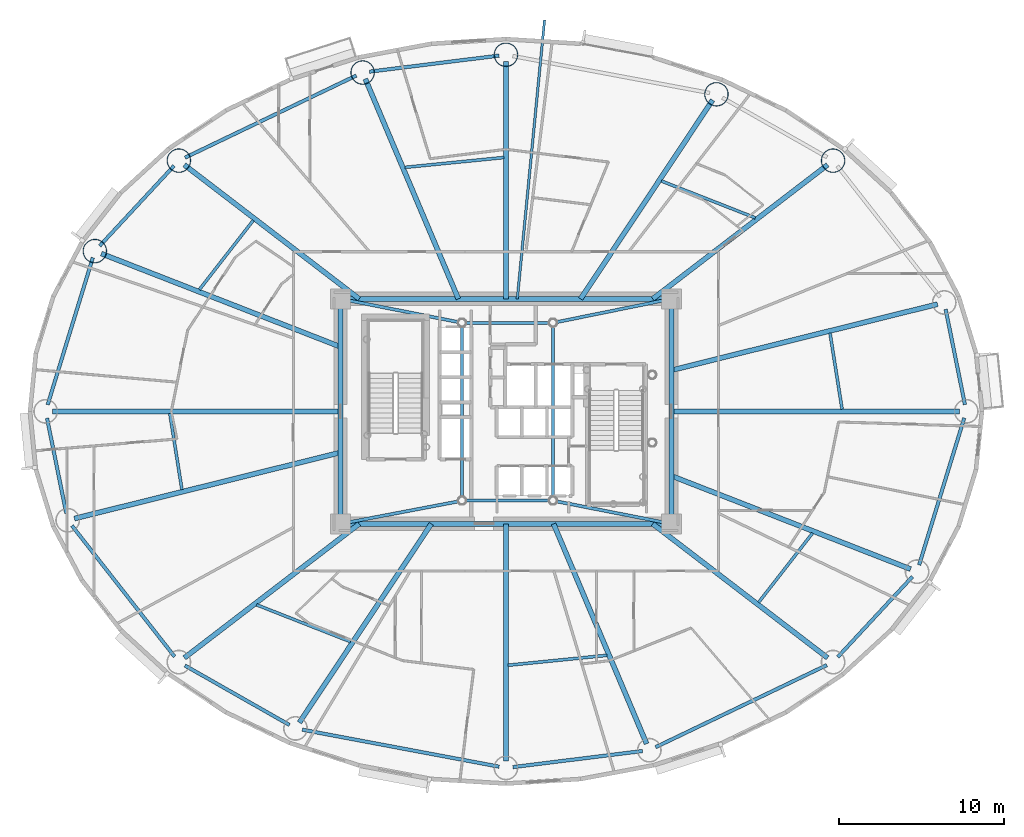
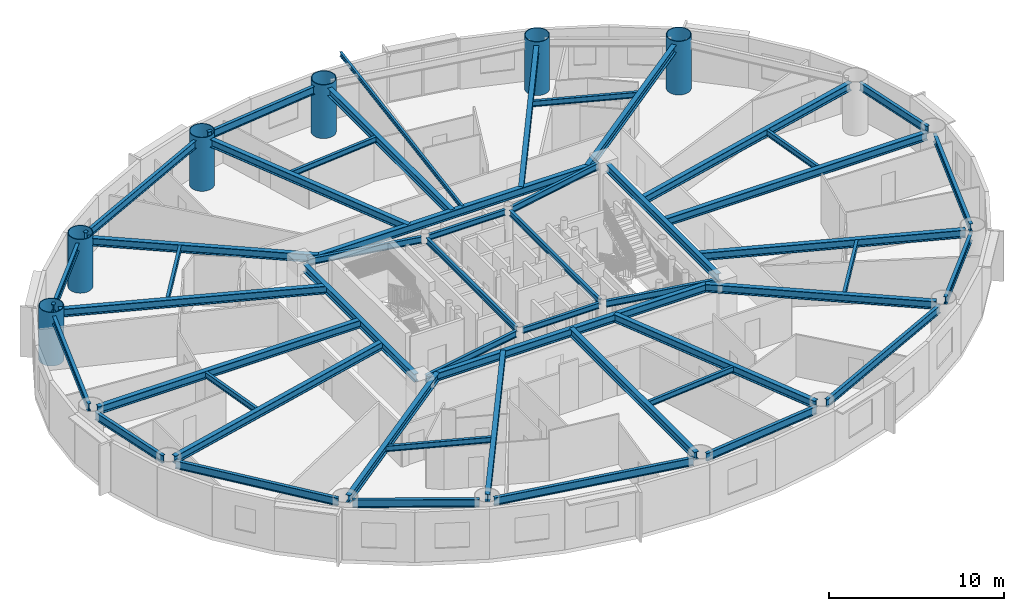
# One storey, part 3 of 18: 50 beams, 6 columns.
"""IFC4 building model written with IfcOpenShell, lengths in metres."""

from ifc_helpers import new_model, si_unit, direction, frame, origin, origin_2d, place, context, subcontext, project, spatial, hollow_circle, i_section, extrude, material, material_profile, profile_set, type_object, element, save


model = new_model("IFC4")

# Units and contexts
model_context = context("Model", 3, precision=1e-05, world=origin(), true_north=direction((0.0, 1.0)))
body_context = subcontext(model_context, "Body", "Model", "MODEL_VIEW")
ifc_project = project(units=[si_unit("LENGTHUNIT", "METRE"), si_unit("AREAUNIT", "SQUARE_METRE"), si_unit("VOLUMEUNIT", "CUBIC_METRE"), si_unit("PLANEANGLEUNIT", "RADIAN"), si_unit("MASSUNIT", "GRAM", prefix="KILO")], contexts=[model_context])

# Site, building, storey
site_placement = place(None, origin())
site = spatial("IfcSite", under=ifc_project, at=site_placement, CompositionType="ELEMENT")
building_placement = place(site_placement, origin())
building = spatial("IfcBuilding", under=site, at=building_placement, Name="Linh Dai School and Residence Tower", CompositionType="ELEMENT")
storey_placement = place(building_placement, frame((0.0, 0.0, 104.699951171875)))
storey = spatial("IfcBuildingStorey", under=building, at=storey_placement, Name="L24", CompositionType="ELEMENT", Elevation=104.699951171875)

# Columns
ifc_material = material(Name="Structural Steel S355JR", Category="steel")
ifc_material_profile_1 = material_profile(ifc_material, hollow_circle(Radius=0.72509765625, WallThickness=0.0419921875, at=origin_2d()), Name="CHS 1450x42")
ifc_profile_set_1 = profile_set([ifc_material_profile_1], Name="Structural Steel S355JR")
column_type = type_object("IfcColumnType", Name="COL-MC3", PredefinedType="COLUMN", material=ifc_profile_set_1)
for number, where, z_axis, x_axis, name in (
    (1, (55.772705078125, 42.155517578125, 0.0), (0.0, 0.0, 1.0), (1.0, 0.0, 0.0), "L24 Perimeter CFT Mega-Column MC03"),
    (2, (48.721923828125, 46.1650390625, 0.0), (0.0, 0.0, 1.0), (1.0, 0.0, 0.0), "L24 Perimeter CFT Mega-Column MC04"),
    (3, (36.0, 48.554931640625, 0.0), (0.0, 0.0, 1.0), (1.0, 0.0, 0.0), "L24 Perimeter CFT Mega-Column MC05"),
    (4, (27.33447265625, 47.480712890625, 0.0), (0.0, 0.0, 1.0), (1.0, 0.0, 0.0), "L24 Perimeter CFT Mega-Column MC06"),
    (5, (16.227294921875, 42.155517578125, 0.0), (0.0, 0.0, 1.0), (1.0, 0.0, 0.0), "L24 Perimeter CFT Mega-Column MC07"),
    (6, (11.15087890625, 36.6875, 0.0), (0.0, 0.0, 1.0), (1.0, 0.0, 0.0), "L24 Perimeter CFT Mega-Column MC08"),
):
    element("IfcColumn", number, at=place(storey_placement, frame(where, z_axis=z_axis, x_axis=x_axis)), inside=storey, type_object=column_type, Name=name, PredefinedType="COLUMN", context=body_context, shape_type="SweptSolid", body=[
        extrude(hollow_circle(Radius=0.72509765625, WallThickness=0.0419921875, at=origin_2d()), origin(), (0.0, 0.0, 1.0), 3.75),
    ])

# Beams
ifc_material_profile_2 = material_profile(ifc_material, i_section(OverallWidth=0.14990234375, OverallDepth=0.300048828125, WebThickness=0.007080078125, FlangeThickness=0.0107421875, at=origin_2d()), Name="IPE 300")
ifc_profile_set_2 = profile_set([ifc_material_profile_2], Name="Structural Steel S355JR")
beam_type_1 = type_object("IfcBeamType", Name="BM-BALC-CANT", PredefinedType="BEAM", material=ifc_profile_set_2)
beam_1_placement = place(storey_placement, frame((36.684814453125, 33.800048828125, 3.35009765625), z_axis=(0.097287416525, 0.995256328081, 0.0), x_axis=(-0.995256328081, 0.097287416525, 0.0)))
element("IfcBeam", 7, at=beam_1_placement, inside=storey, type_object=beam_type_1, Name="L25 Balcony Continuous Cantilever Beam 10", PredefinedType="BEAM", context=body_context, shape_type="SweptSolid", body=[
    extrude(i_section(OverallWidth=0.14990234375, OverallDepth=0.300048828125, WebThickness=0.007080078125, FlangeThickness=0.0107421875, at=origin_2d()), origin(), (0.0, 0.0, 1.0), 16.928955078125),
])
ifc_material_profile_3 = material_profile(ifc_material, i_section(OverallWidth=0.2099609375, OverallDepth=0.550048828125, WebThickness=0.010986328125, FlangeThickness=0.01708984375, FilletRadius=0.02392578125, at=origin_2d()), Name="IPE 550")
ifc_profile_set_3 = profile_set([ifc_material_profile_3], Name="Structural Steel S355JR")
beam_type_2 = type_object("IfcBeamType", Name="BM-RB55", PredefinedType="BEAM", material=ifc_profile_set_3)
beam_2_placement = place(storey_placement, frame((63.74169921875, 27.41162109375, 3.22509765625), z_axis=(-0.198441254313, 0.980112783605, 0.0), x_axis=(-0.980112783605, -0.198441254313, 0.0)))
element("IfcBeam", 8, at=beam_2_placement, inside=storey, type_object=beam_type_2, Name="L24 Perimeter Elliptical Ring Beam 01", PredefinedType="BEAM", context=body_context, shape_type="SweptSolid", body=[
    extrude(i_section(OverallWidth=0.2099609375, OverallDepth=0.550048828125, WebThickness=0.010986328125, FlangeThickness=0.01708984375, FilletRadius=0.02392578125, at=origin_2d()), origin(), (0.0, 0.0, 1.0), 5.874755859375),
])
beam_3_placement = place(storey_placement, frame((35.583251953125, 48.50341796875, 3.22509765625), z_axis=(-0.992399234854, -0.123059979933, 0.0), x_axis=(0.123059979933, -0.992399234854, 0.0)))
element("IfcBeam", 9, at=beam_3_placement, inside=storey, type_object=beam_type_2, Name="L24 Perimeter Elliptical Ring Beam 05", PredefinedType="BEAM", context=body_context, shape_type="SweptSolid", body=[
    extrude(i_section(OverallWidth=0.2099609375, OverallDepth=0.550048828125, WebThickness=0.010986328125, FlangeThickness=0.01708984375, FilletRadius=0.02392578125, at=origin_2d()), origin(), (0.0, 0.0, 1.0), 7.89208984375),
])
beam_4_placement = place(storey_placement, frame((26.955810546875, 47.299072265625, 3.22509765625), z_axis=(-0.901715153312, -0.432330640005, 0.0), x_axis=(0.432330640005, -0.901715153312, 0.0)))
element("IfcBeam", 10, at=beam_4_placement, inside=storey, type_object=beam_type_2, Name="L24 Perimeter Elliptical Ring Beam 06", PredefinedType="BEAM", context=body_context, shape_type="SweptSolid", body=[
    extrude(i_section(OverallWidth=0.2099609375, OverallDepth=0.550048828125, WebThickness=0.010986328125, FlangeThickness=0.01708984375, FilletRadius=0.02392578125, at=origin_2d()), origin(), (0.0, 0.0, 1.0), 11.477783203125),
])
beam_5_placement = place(storey_placement, frame((15.941650390625, 41.84765625, 3.22509765625), z_axis=(-0.680384623752, -0.732855213369, 0.0), x_axis=(0.732855213369, -0.680384623752, 0.0)))
element("IfcBeam", 11, at=beam_5_placement, inside=storey, type_object=beam_type_2, Name="L24 Perimeter Elliptical Ring Beam 07", PredefinedType="BEAM", context=body_context, shape_type="SweptSolid", body=[
    extrude(i_section(OverallWidth=0.2099609375, OverallDepth=0.550048828125, WebThickness=0.010986328125, FlangeThickness=0.01708984375, FilletRadius=0.02392578125, at=origin_2d()), origin(), (0.0, 0.0, 1.0), 6.62109375),
])
beam_6_placement = place(storey_placement, frame((11.027587890625, 36.2861328125, 3.22509765625), z_axis=(-0.29364097848, -0.95591577859, 0.0), x_axis=(0.95591577859, -0.29364097848, 0.0)))
element("IfcBeam", 12, at=beam_6_placement, inside=storey, type_object=beam_type_2, Name="L24 Perimeter Elliptical Ring Beam 08", PredefinedType="BEAM", context=body_context, shape_type="SweptSolid", body=[
    extrude(i_section(OverallWidth=0.2099609375, OverallDepth=0.550048828125, WebThickness=0.010986328125, FlangeThickness=0.01708984375, FilletRadius=0.02392578125, at=origin_2d()), origin(), (0.0, 0.0, 1.0), 9.29443359375),
])
beam_7_placement = place(storey_placement, frame((8.25830078125, 26.58837890625, 3.22509765625), z_axis=(0.198441254313, -0.980112783605, 0.0), x_axis=(0.980112783605, 0.198441254313, 0.0)))
element("IfcBeam", 13, at=beam_7_placement, inside=storey, type_object=beam_type_2, Name="L24 Perimeter Elliptical Ring Beam 09", PredefinedType="BEAM", context=body_context, shape_type="SweptSolid", body=[
    extrude(i_section(OverallWidth=0.2099609375, OverallDepth=0.550048828125, WebThickness=0.010986328125, FlangeThickness=0.01708984375, FilletRadius=0.02392578125, at=origin_2d()), origin(), (0.0, 0.0, 1.0), 5.874755859375),
])
beam_8_placement = place(storey_placement, frame((9.766357421875, 20.08837890625, 3.22509765625), z_axis=(0.616854830973, -0.787076945098, 0.0), x_axis=(0.787076945098, 0.616854830973, 0.0)))
element("IfcBeam", 14, at=beam_8_placement, inside=storey, type_object=beam_type_2, Name="L24 Perimeter Elliptical Ring Beam 10", PredefinedType="BEAM", context=body_context, shape_type="SweptSolid", body=[
    extrude(i_section(OverallWidth=0.2099609375, OverallDepth=0.550048828125, WebThickness=0.010986328125, FlangeThickness=0.01708984375, FilletRadius=0.02392578125, at=origin_2d()), origin(), (0.0, 0.0, 1.0), 10.053955078125),
])
beam_9_placement = place(storey_placement, frame((16.592529296875, 11.636962890625, 3.22509765625), z_axis=(0.86927031475, -0.494337050902, 0.0), x_axis=(0.494337050902, 0.86927031475, 0.0)))
element("IfcBeam", 15, at=beam_9_placement, inside=storey, type_object=beam_type_2, Name="L24 Perimeter Elliptical Ring Beam 11", PredefinedType="BEAM", context=body_context, shape_type="SweptSolid", body=[
    extrude(i_section(OverallWidth=0.2099609375, OverallDepth=0.550048828125, WebThickness=0.010986328125, FlangeThickness=0.01708984375, FilletRadius=0.02392578125, at=origin_2d()), origin(), (0.0, 0.0, 1.0), 7.270751953125),
])
beam_10_placement = place(storey_placement, frame((23.69091796875, 7.75732421875, 3.22509765625), z_axis=(0.982807507457, -0.184633158685, 0.0), x_axis=(0.184633158685, 0.982807507457, 0.0)))
element("IfcBeam", 16, at=beam_10_placement, inside=storey, type_object=beam_type_2, Name="L24 Perimeter Elliptical Ring Beam 12", PredefinedType="BEAM", context=body_context, shape_type="SweptSolid", body=[
    extrude(i_section(OverallWidth=0.2099609375, OverallDepth=0.550048828125, WebThickness=0.010986328125, FlangeThickness=0.01708984375, FilletRadius=0.02392578125, at=origin_2d()), origin(), (0.0, 0.0, 1.0), 12.104248046875),
])
beam_11_placement = place(storey_placement, frame((36.416748046875, 5.49658203125, 3.22509765625), z_axis=(0.992399234854, 0.123059979933, 0.0), x_axis=(-0.123059979933, 0.992399234854, 0.0)))
element("IfcBeam", 17, at=beam_11_placement, inside=storey, type_object=beam_type_2, Name="L24 Perimeter Elliptical Ring Beam 13", PredefinedType="BEAM", context=body_context, shape_type="SweptSolid", body=[
    extrude(i_section(OverallWidth=0.2099609375, OverallDepth=0.550048828125, WebThickness=0.010986328125, FlangeThickness=0.01708984375, FilletRadius=0.02392578125, at=origin_2d()), origin(), (0.0, 0.0, 1.0), 7.89208984375),
])
beam_12_placement = place(storey_placement, frame((45.044189453125, 6.700927734375, 3.22509765625), z_axis=(0.901715153312, 0.432330640005, 0.0), x_axis=(-0.432330640005, 0.901715153312, 0.0)))
element("IfcBeam", 18, at=beam_12_placement, inside=storey, type_object=beam_type_2, Name="L24 Perimeter Elliptical Ring Beam 14", PredefinedType="BEAM", context=body_context, shape_type="SweptSolid", body=[
    extrude(i_section(OverallWidth=0.2099609375, OverallDepth=0.550048828125, WebThickness=0.010986328125, FlangeThickness=0.01708984375, FilletRadius=0.02392578125, at=origin_2d()), origin(), (0.0, 0.0, 1.0), 11.477783203125),
])
beam_13_placement = place(storey_placement, frame((56.058349609375, 12.15234375, 3.22509765625), z_axis=(0.680384623752, 0.732855213369, 0.0), x_axis=(-0.732855213369, 0.680384623752, 0.0)))
element("IfcBeam", 19, at=beam_13_placement, inside=storey, type_object=beam_type_2, Name="L24 Perimeter Elliptical Ring Beam 15", PredefinedType="BEAM", context=body_context, shape_type="SweptSolid", body=[
    extrude(i_section(OverallWidth=0.2099609375, OverallDepth=0.550048828125, WebThickness=0.010986328125, FlangeThickness=0.01708984375, FilletRadius=0.02392578125, at=origin_2d()), origin(), (0.0, 0.0, 1.0), 6.62109375),
])
beam_14_placement = place(storey_placement, frame((60.972412109375, 17.7138671875, 3.22509765625), z_axis=(0.29364097848, 0.95591577859, 0.0), x_axis=(-0.95591577859, 0.29364097848, 0.0)))
element("IfcBeam", 20, at=beam_14_placement, inside=storey, type_object=beam_type_2, Name="L24 Perimeter Elliptical Ring Beam 16", PredefinedType="BEAM", context=body_context, shape_type="SweptSolid", body=[
    extrude(i_section(OverallWidth=0.2099609375, OverallDepth=0.550048828125, WebThickness=0.010986328125, FlangeThickness=0.01708984375, FilletRadius=0.02392578125, at=origin_2d()), origin(), (0.0, 0.0, 1.0), 9.29443359375),
])
ifc_material_profile_4 = material_profile(ifc_material, i_section(OverallWidth=0.300048828125, OverallDepth=0.550048828125, WebThickness=0.014892578125, FlangeThickness=0.029052734375, FilletRadius=0.027099609375, at=origin_2d()), Name="HEB 550")
ifc_profile_set_4 = profile_set([ifc_material_profile_4], Name="Structural Steel S355JR")
beam_type_3 = type_object("IfcBeamType", Name="BM-RG55", PredefinedType="BEAM", material=ifc_profile_set_4)
beam_15_placement = place(storey_placement, frame((26.419921875, 20.199951171875, 3.22509765625), z_axis=(1.0, 0.0, 0.0), x_axis=(0.0, 1.0, 0.0)))
element("IfcBeam", 21, at=beam_15_placement, inside=storey, type_object=beam_type_3, Name="L24 Core Perimeter Coupling Girder 1", PredefinedType="BEAM", context=body_context, shape_type="SweptSolid", body=[
    extrude(i_section(OverallWidth=0.300048828125, OverallDepth=0.550048828125, WebThickness=0.014892578125, FlangeThickness=0.029052734375, FilletRadius=0.027099609375, at=origin_2d()), origin(), (0.0, 0.0, 1.0), 19.16015625),
])
beam_16_placement = place(storey_placement, frame((46.0, 20.6201171875, 3.22509765625), z_axis=(0.0, 1.0, 0.0), x_axis=(-1.0, 0.0, 0.0)))
element("IfcBeam", 22, at=beam_16_placement, inside=storey, type_object=beam_type_3, Name="L24 Core Perimeter Coupling Girder 2", PredefinedType="BEAM", context=body_context, shape_type="SweptSolid", body=[
    extrude(i_section(OverallWidth=0.300048828125, OverallDepth=0.550048828125, WebThickness=0.014892578125, FlangeThickness=0.029052734375, FilletRadius=0.027099609375, at=origin_2d()), origin(), (0.0, 0.0, 1.0), 12.759765625),
])
beam_17_placement = place(storey_placement, frame((45.580078125, 33.800048828125, 3.22509765625), z_axis=(-1.0, 0.0, 0.0), x_axis=(0.0, -1.0, 0.0)))
element("IfcBeam", 23, at=beam_17_placement, inside=storey, type_object=beam_type_3, Name="L24 Core Perimeter Coupling Girder 3", PredefinedType="BEAM", context=body_context, shape_type="SweptSolid", body=[
    extrude(i_section(OverallWidth=0.300048828125, OverallDepth=0.550048828125, WebThickness=0.014892578125, FlangeThickness=0.029052734375, FilletRadius=0.027099609375, at=origin_2d()), origin(), (0.0, 0.0, 1.0), 19.16015625),
])
beam_18_placement = place(storey_placement, frame((26.0, 33.3798828125, 3.22509765625), z_axis=(0.0, -1.0, 0.0), x_axis=(1.0, 0.0, 0.0)))
element("IfcBeam", 24, at=beam_18_placement, inside=storey, type_object=beam_type_3, Name="L24 Core Perimeter Coupling Girder 4", PredefinedType="BEAM", context=body_context, shape_type="SweptSolid", body=[
    extrude(i_section(OverallWidth=0.300048828125, OverallDepth=0.550048828125, WebThickness=0.014892578125, FlangeThickness=0.029052734375, FilletRadius=0.027099609375, at=origin_2d()), origin(), (0.0, 0.0, 1.0), 12.759765625),
])
beam_19_placement = place(storey_placement, frame((46.0, 27.0, 3.22509765625), z_axis=(1.0, 0.0, 0.0), x_axis=(0.0, 1.0, 0.0)))
element("IfcBeam", 25, at=beam_19_placement, inside=storey, type_object=beam_type_3, Name="L24 Primary Radial Floor Girder 01", PredefinedType="BEAM", context=body_context, shape_type="SweptSolid", body=[
    extrude(i_section(OverallWidth=0.300048828125, OverallDepth=0.550048828125, WebThickness=0.014892578125, FlangeThickness=0.029052734375, FilletRadius=0.027099609375, at=origin_2d()), origin(), (0.0, 0.0, 1.0), 17.405029296875),
])
beam_20_placement = place(storey_placement, frame((46.0, 29.484130859375, 3.22509765625), z_axis=(0.970505338376, 0.241079630379, 0.0), x_axis=(-0.241079630379, 0.970505338376, 0.0)))
element("IfcBeam", 26, at=beam_20_placement, inside=storey, type_object=beam_type_3, Name="L24 Primary Radial Floor Girder 02", PredefinedType="BEAM", context=body_context, shape_type="SweptSolid", body=[
    extrude(i_section(OverallWidth=0.300048828125, OverallDepth=0.550048828125, WebThickness=0.014892578125, FlangeThickness=0.029052734375, FilletRadius=0.027099609375, at=origin_2d()), origin(), (0.0, 0.0, 1.0), 16.57373046875),
])
beam_21_placement = place(storey_placement, frame((44.87158203125, 33.800048828125, 3.22509765625), z_axis=(0.793678660795, 0.608337228352, 0.0), x_axis=(-0.608337228352, 0.793678660795, 0.0)))
element("IfcBeam", 27, at=beam_21_placement, inside=storey, type_object=beam_type_3, Name="L24 Primary Radial Floor Girder 03", PredefinedType="BEAM", context=body_context, shape_type="SweptSolid", body=[
    extrude(i_section(OverallWidth=0.300048828125, OverallDepth=0.550048828125, WebThickness=0.014892578125, FlangeThickness=0.029052734375, FilletRadius=0.027099609375, at=origin_2d()), origin(), (0.0, 0.0, 1.0), 13.314697265625),
])
beam_22_placement = place(storey_placement, frame((40.513916015625, 33.800048828125, 3.22509765625), z_axis=(0.553054392401, 0.833145148846, 0.0), x_axis=(-0.833145148846, 0.553054392401, 0.0)))
element("IfcBeam", 28, at=beam_22_placement, inside=storey, type_object=beam_type_3, Name="L24 Primary Radial Floor Girder 04", PredefinedType="BEAM", context=body_context, shape_type="SweptSolid", body=[
    extrude(i_section(OverallWidth=0.300048828125, OverallDepth=0.550048828125, WebThickness=0.014892578125, FlangeThickness=0.029052734375, FilletRadius=0.027099609375, at=origin_2d()), origin(), (0.0, 0.0, 1.0), 14.42138671875),
])
beam_23_placement = place(storey_placement, frame((36.0, 33.800048828125, 3.22509765625), z_axis=(0.0, 1.0, 0.0), x_axis=(-1.0, 0.0, 0.0)))
element("IfcBeam", 29, at=beam_23_placement, inside=storey, type_object=beam_type_3, Name="L24 Primary Radial Floor Girder 05", PredefinedType="BEAM", context=body_context, shape_type="SweptSolid", body=[
    extrude(i_section(OverallWidth=0.300048828125, OverallDepth=0.550048828125, WebThickness=0.014892578125, FlangeThickness=0.029052734375, FilletRadius=0.027099609375, at=origin_2d()), origin(), (0.0, 0.0, 1.0), 14.3349609375),
])
beam_24_placement = place(storey_placement, frame((33.122802734375, 33.800048828125, 3.22509765625), z_axis=(-0.389669233739, 0.920954878524, 0.0), x_axis=(-0.920954878524, -0.389669233739, 0.0)))
element("IfcBeam", 30, at=beam_24_placement, inside=storey, type_object=beam_type_3, Name="L24 Primary Radial Floor Girder 06", PredefinedType="BEAM", context=body_context, shape_type="SweptSolid", body=[
    extrude(i_section(OverallWidth=0.300048828125, OverallDepth=0.550048828125, WebThickness=0.014892578125, FlangeThickness=0.029052734375, FilletRadius=0.027099609375, at=origin_2d()), origin(), (0.0, 0.0, 1.0), 14.434814453125),
])
beam_25_placement = place(storey_placement, frame((27.12841796875, 33.800048828125, 3.22509765625), z_axis=(-0.793678660795, 0.608337228352, 0.0), x_axis=(-0.608337228352, -0.793678660795, 0.0)))
element("IfcBeam", 31, at=beam_25_placement, inside=storey, type_object=beam_type_3, Name="L24 Primary Radial Floor Girder 07", PredefinedType="BEAM", context=body_context, shape_type="SweptSolid", body=[
    extrude(i_section(OverallWidth=0.300048828125, OverallDepth=0.550048828125, WebThickness=0.014892578125, FlangeThickness=0.029052734375, FilletRadius=0.027099609375, at=origin_2d()), origin(), (0.0, 0.0, 1.0), 13.314697265625),
])
beam_26_placement = place(storey_placement, frame((26.0, 30.8984375, 3.22509765625), z_axis=(-0.931699338449, 0.363230426498, 0.0), x_axis=(-0.363230426498, -0.931699338449, 0.0)))
element("IfcBeam", 32, at=beam_26_placement, inside=storey, type_object=beam_type_3, Name="L24 Primary Radial Floor Girder 08", PredefinedType="BEAM", context=body_context, shape_type="SweptSolid", body=[
    extrude(i_section(OverallWidth=0.300048828125, OverallDepth=0.550048828125, WebThickness=0.014892578125, FlangeThickness=0.029052734375, FilletRadius=0.027099609375, at=origin_2d()), origin(), (0.0, 0.0, 1.0), 15.517578125),
])
beam_27_placement = place(storey_placement, frame((26.0, 27.0, 3.22509765625), z_axis=(-1.0, 0.0, 0.0), x_axis=(0.0, -1.0, 0.0)))
element("IfcBeam", 33, at=beam_27_placement, inside=storey, type_object=beam_type_3, Name="L24 Primary Radial Floor Girder 09", PredefinedType="BEAM", context=body_context, shape_type="SweptSolid", body=[
    extrude(i_section(OverallWidth=0.300048828125, OverallDepth=0.550048828125, WebThickness=0.014892578125, FlangeThickness=0.029052734375, FilletRadius=0.027099609375, at=origin_2d()), origin(), (0.0, 0.0, 1.0), 17.405029296875),
])
beam_28_placement = place(storey_placement, frame((26.0, 24.515869140625, 3.22509765625), z_axis=(-0.970505338376, -0.241079630379, 0.0), x_axis=(0.241079630379, -0.970505338376, 0.0)))
element("IfcBeam", 34, at=beam_28_placement, inside=storey, type_object=beam_type_3, Name="L24 Primary Radial Floor Girder 10", PredefinedType="BEAM", context=body_context, shape_type="SweptSolid", body=[
    extrude(i_section(OverallWidth=0.300048828125, OverallDepth=0.550048828125, WebThickness=0.014892578125, FlangeThickness=0.029052734375, FilletRadius=0.027099609375, at=origin_2d()), origin(), (0.0, 0.0, 1.0), 16.57373046875),
])
beam_29_placement = place(storey_placement, frame((27.12841796875, 20.199951171875, 3.22509765625), z_axis=(-0.793678660795, -0.608337228352, 0.0), x_axis=(0.608337228352, -0.793678660795, 0.0)))
element("IfcBeam", 35, at=beam_29_placement, inside=storey, type_object=beam_type_3, Name="L24 Primary Radial Floor Girder 11", PredefinedType="BEAM", context=body_context, shape_type="SweptSolid", body=[
    extrude(i_section(OverallWidth=0.300048828125, OverallDepth=0.550048828125, WebThickness=0.014892578125, FlangeThickness=0.029052734375, FilletRadius=0.027099609375, at=origin_2d()), origin(), (0.0, 0.0, 1.0), 13.314697265625),
])
beam_30_placement = place(storey_placement, frame((31.486083984375, 20.199951171875, 3.22509765625), z_axis=(-0.553054392401, -0.833145148846, 0.0), x_axis=(0.833145148846, -0.553054392401, 0.0)))
element("IfcBeam", 36, at=beam_30_placement, inside=storey, type_object=beam_type_3, Name="L24 Primary Radial Floor Girder 12", PredefinedType="BEAM", context=body_context, shape_type="SweptSolid", body=[
    extrude(i_section(OverallWidth=0.300048828125, OverallDepth=0.550048828125, WebThickness=0.014892578125, FlangeThickness=0.029052734375, FilletRadius=0.027099609375, at=origin_2d()), origin(), (0.0, 0.0, 1.0), 14.42138671875),
])
beam_31_placement = place(storey_placement, frame((36.0, 20.199951171875, 3.22509765625), z_axis=(0.0, -1.0, 0.0), x_axis=(1.0, 0.0, 0.0)))
element("IfcBeam", 37, at=beam_31_placement, inside=storey, type_object=beam_type_3, Name="L24 Primary Radial Floor Girder 13", PredefinedType="BEAM", context=body_context, shape_type="SweptSolid", body=[
    extrude(i_section(OverallWidth=0.300048828125, OverallDepth=0.550048828125, WebThickness=0.014892578125, FlangeThickness=0.029052734375, FilletRadius=0.027099609375, at=origin_2d()), origin(), (0.0, 0.0, 1.0), 14.3349609375),
])
beam_32_placement = place(storey_placement, frame((38.877197265625, 20.199951171875, 3.22509765625), z_axis=(0.389669233739, -0.920954878524, 0.0), x_axis=(0.920954878524, 0.389669233739, 0.0)))
element("IfcBeam", 38, at=beam_32_placement, inside=storey, type_object=beam_type_3, Name="L24 Primary Radial Floor Girder 14", PredefinedType="BEAM", context=body_context, shape_type="SweptSolid", body=[
    extrude(i_section(OverallWidth=0.300048828125, OverallDepth=0.550048828125, WebThickness=0.014892578125, FlangeThickness=0.029052734375, FilletRadius=0.027099609375, at=origin_2d()), origin(), (0.0, 0.0, 1.0), 14.434814453125),
])
beam_33_placement = place(storey_placement, frame((44.87158203125, 20.199951171875, 3.22509765625), z_axis=(0.793678660795, -0.608337228352, 0.0), x_axis=(0.608337228352, 0.793678660795, 0.0)))
element("IfcBeam", 39, at=beam_33_placement, inside=storey, type_object=beam_type_3, Name="L24 Primary Radial Floor Girder 15", PredefinedType="BEAM", context=body_context, shape_type="SweptSolid", body=[
    extrude(i_section(OverallWidth=0.300048828125, OverallDepth=0.550048828125, WebThickness=0.014892578125, FlangeThickness=0.029052734375, FilletRadius=0.027099609375, at=origin_2d()), origin(), (0.0, 0.0, 1.0), 13.314697265625),
])
beam_34_placement = place(storey_placement, frame((46.0, 23.1015625, 3.22509765625), z_axis=(0.931699338449, -0.363230426498, 0.0), x_axis=(0.363230426498, 0.931699338449, 0.0)))
element("IfcBeam", 40, at=beam_34_placement, inside=storey, type_object=beam_type_3, Name="L24 Primary Radial Floor Girder 16", PredefinedType="BEAM", context=body_context, shape_type="SweptSolid", body=[
    extrude(i_section(OverallWidth=0.300048828125, OverallDepth=0.550048828125, WebThickness=0.014892578125, FlangeThickness=0.029052734375, FilletRadius=0.027099609375, at=origin_2d()), origin(), (0.0, 0.0, 1.0), 15.517578125),
])
ifc_material_profile_5 = material_profile(ifc_material, i_section(OverallWidth=0.179931640625, OverallDepth=0.39990234375, WebThickness=0.008544921875, FlangeThickness=0.013427734375, FilletRadius=0.02099609375, at=origin_2d()), Name="IPE 400")
ifc_profile_set_5 = profile_set([ifc_material_profile_5], Name="Structural Steel S355JR")
beam_type_4 = type_object("IfcBeamType", Name="BM-SB40", PredefinedType="BEAM", material=ifc_profile_set_5)
beam_35_placement = place(storey_placement, frame((33.573974609375, 21.60009765625, 3.300048828125), z_axis=(1.0, 0.0, 0.0), x_axis=(0.0, 1.0, 0.0)))
element("IfcBeam", 41, at=beam_35_placement, inside=storey, type_object=beam_type_4, Name="L24 Core Mast Pier Tie Beam 1", PredefinedType="BEAM", context=body_context, shape_type="SweptSolid", body=[
    extrude(i_section(OverallWidth=0.179931640625, OverallDepth=0.39990234375, WebThickness=0.008544921875, FlangeThickness=0.013427734375, FilletRadius=0.02099609375, at=origin_2d()), origin(), (0.0, 0.0, 1.0), 5.052001953125),
])
beam_36_placement = place(storey_placement, frame((38.85009765625, 21.823974609375, 3.300048828125), z_axis=(0.0, 1.0, 0.0), x_axis=(-1.0, 0.0, 0.0)))
element("IfcBeam", 42, at=beam_36_placement, inside=storey, type_object=beam_type_4, Name="L24 Core Mast Pier Tie Beam 2", PredefinedType="BEAM", context=body_context, shape_type="SweptSolid", body=[
    extrude(i_section(OverallWidth=0.179931640625, OverallDepth=0.39990234375, WebThickness=0.008544921875, FlangeThickness=0.013427734375, FilletRadius=0.02099609375, at=origin_2d()), origin(), (0.0, 0.0, 1.0), 10.302001953125),
])
beam_37_placement = place(storey_placement, frame((38.6259765625, 32.35009765625, 3.300048828125), z_axis=(-1.0, 0.0, 0.0), x_axis=(0.0, -1.0, 0.0)))
element("IfcBeam", 43, at=beam_37_placement, inside=storey, type_object=beam_type_4, Name="L24 Core Mast Pier Tie Beam 3", PredefinedType="BEAM", context=body_context, shape_type="SweptSolid", body=[
    extrude(i_section(OverallWidth=0.179931640625, OverallDepth=0.39990234375, WebThickness=0.008544921875, FlangeThickness=0.013427734375, FilletRadius=0.02099609375, at=origin_2d()), origin(), (0.0, 0.0, 1.0), 5.052001953125),
])
beam_38_placement = place(storey_placement, frame((33.35009765625, 32.1259765625, 3.300048828125), z_axis=(0.0, -1.0, 0.0), x_axis=(1.0, 0.0, 0.0)))
element("IfcBeam", 44, at=beam_38_placement, inside=storey, type_object=beam_type_4, Name="L24 Core Mast Pier Tie Beam 4", PredefinedType="BEAM", context=body_context, shape_type="SweptSolid", body=[
    extrude(i_section(OverallWidth=0.179931640625, OverallDepth=0.39990234375, WebThickness=0.008544921875, FlangeThickness=0.013427734375, FilletRadius=0.02099609375, at=origin_2d()), origin(), (0.0, 0.0, 1.0), 10.302001953125),
])
beam_39_placement = place(storey_placement, frame((56.318115234375, 27.12841796875, 3.300048828125), z_axis=(-0.15702217033, 0.987595077967, 0.0), x_axis=(-0.987595077967, -0.15702217033, 0.0)))
element("IfcBeam", 45, at=beam_39_placement, inside=storey, type_object=beam_type_4, Name="L24 Secondary Circumferential Floor Beam 01", PredefinedType="BEAM", context=body_context, shape_type="SweptSolid", body=[
    extrude(i_section(OverallWidth=0.179931640625, OverallDepth=0.39990234375, WebThickness=0.008544921875, FlangeThickness=0.013427734375, FilletRadius=0.02099609375, at=origin_2d()), origin(), (0.0, 0.0, 1.0), 4.661376953125),
])
beam_40_placement = place(storey_placement, frame((51.0732421875, 38.693603515625, 3.300048828125), z_axis=(-0.930755385045, 0.365642466365, 0.0), x_axis=(-0.365642466365, -0.930755385045, 0.0)))
element("IfcBeam", 46, at=beam_40_placement, inside=storey, type_object=beam_type_4, Name="L24 Secondary Circumferential Floor Beam 02", PredefinedType="BEAM", context=body_context, shape_type="SweptSolid", body=[
    extrude(i_section(OverallWidth=0.179931640625, OverallDepth=0.39990234375, WebThickness=0.008544921875, FlangeThickness=0.013427734375, FilletRadius=0.02099609375, at=origin_2d()), origin(), (0.0, 0.0, 1.0), 6.10009765625),
])
beam_41_placement = place(storey_placement, frame((35.87060546875, 42.344970703125, 3.300048828125), z_axis=(-0.995039604987, -0.099479568287, 0.0), x_axis=(0.099479568287, -0.995039604987, 0.0)))
element("IfcBeam", 47, at=beam_41_placement, inside=storey, type_object=beam_type_4, Name="L24 Secondary Circumferential Floor Beam 03", PredefinedType="BEAM", context=body_context, shape_type="SweptSolid", body=[
    extrude(i_section(OverallWidth=0.179931640625, OverallDepth=0.39990234375, WebThickness=0.008544921875, FlangeThickness=0.013427734375, FilletRadius=0.02099609375, at=origin_2d()), origin(), (0.0, 0.0, 1.0), 6.00537109375),
])
beam_42_placement = place(storey_placement, frame((20.725830078125, 38.543701171875, 3.300048828125), z_axis=(-0.614322948635, -0.789054696951, 0.0), x_axis=(0.789054696951, -0.614322948635, 0.0)))
element("IfcBeam", 48, at=beam_42_placement, inside=storey, type_object=beam_type_4, Name="L24 Secondary Circumferential Floor Beam 04", PredefinedType="BEAM", context=body_context, shape_type="SweptSolid", body=[
    extrude(i_section(OverallWidth=0.179931640625, OverallDepth=0.39990234375, WebThickness=0.008544921875, FlangeThickness=0.013427734375, FilletRadius=0.02099609375, at=origin_2d()), origin(), (0.0, 0.0, 1.0), 5.303955078125),
])
beam_43_placement = place(storey_placement, frame((15.681884765625, 26.87158203125, 3.300048828125), z_axis=(0.15702217033, -0.987595077967, 0.0), x_axis=(0.987595077967, 0.15702217033, 0.0)))
element("IfcBeam", 49, at=beam_43_placement, inside=storey, type_object=beam_type_4, Name="L24 Secondary Circumferential Floor Beam 05", PredefinedType="BEAM", context=body_context, shape_type="SweptSolid", body=[
    extrude(i_section(OverallWidth=0.179931640625, OverallDepth=0.39990234375, WebThickness=0.008544921875, FlangeThickness=0.013427734375, FilletRadius=0.02099609375, at=origin_2d()), origin(), (0.0, 0.0, 1.0), 4.661376953125),
])
beam_44_placement = place(storey_placement, frame((20.9267578125, 15.306396484375, 3.300048828125), z_axis=(0.930755385045, -0.365642466365, 0.0), x_axis=(0.365642466365, 0.930755385045, 0.0)))
element("IfcBeam", 50, at=beam_44_placement, inside=storey, type_object=beam_type_4, Name="L24 Secondary Circumferential Floor Beam 06", PredefinedType="BEAM", context=body_context, shape_type="SweptSolid", body=[
    extrude(i_section(OverallWidth=0.179931640625, OverallDepth=0.39990234375, WebThickness=0.008544921875, FlangeThickness=0.013427734375, FilletRadius=0.02099609375, at=origin_2d()), origin(), (0.0, 0.0, 1.0), 6.10009765625),
])
beam_45_placement = place(storey_placement, frame((36.12939453125, 11.655029296875, 3.300048828125), z_axis=(0.995039604987, 0.099479568287, 0.0), x_axis=(-0.099479568287, 0.995039604987, 0.0)))
element("IfcBeam", 51, at=beam_45_placement, inside=storey, type_object=beam_type_4, Name="L24 Secondary Circumferential Floor Beam 07", PredefinedType="BEAM", context=body_context, shape_type="SweptSolid", body=[
    extrude(i_section(OverallWidth=0.179931640625, OverallDepth=0.39990234375, WebThickness=0.008544921875, FlangeThickness=0.013427734375, FilletRadius=0.02099609375, at=origin_2d()), origin(), (0.0, 0.0, 1.0), 6.00537109375),
])
beam_46_placement = place(storey_placement, frame((51.274169921875, 15.456298828125, 3.300048828125), z_axis=(0.614322948635, 0.789054696951, 0.0), x_axis=(-0.789054696951, 0.614322948635, 0.0)))
element("IfcBeam", 52, at=beam_46_placement, inside=storey, type_object=beam_type_4, Name="L24 Secondary Circumferential Floor Beam 08", PredefinedType="BEAM", context=body_context, shape_type="SweptSolid", body=[
    extrude(i_section(OverallWidth=0.179931640625, OverallDepth=0.39990234375, WebThickness=0.008544921875, FlangeThickness=0.013427734375, FilletRadius=0.02099609375, at=origin_2d()), origin(), (0.0, 0.0, 1.0), 5.303955078125),
])
ifc_material_profile_6 = material_profile(ifc_material, i_section(OverallWidth=0.18994140625, OverallDepth=0.449951171875, WebThickness=0.009521484375, FlangeThickness=0.0146484375, FilletRadius=0.02099609375, at=origin_2d()), Name="IPE 450")
ifc_profile_set_6 = profile_set([ifc_material_profile_6], Name="Structural Steel S355JR")
beam_type_5 = type_object("IfcBeamType", Name="BM-SB45", PredefinedType="BEAM", material=ifc_profile_set_6)
beam_47_placement = place(storey_placement, frame((26.41259765625, 20.278564453125, 3.275146484375), z_axis=(0.982337003886, 0.187120311019, 0.0), x_axis=(-0.187120311019, 0.982337003886, 0.0)))
element("IfcBeam", 53, at=beam_47_placement, inside=storey, type_object=beam_type_5, Name="L24 Core Corner-to-Mast Pier Beam 1", PredefinedType="BEAM", context=body_context, shape_type="SweptSolid", body=[
    extrude(i_section(OverallWidth=0.18994140625, OverallDepth=0.449951171875, WebThickness=0.009521484375, FlangeThickness=0.0146484375, FilletRadius=0.02099609375, at=origin_2d()), origin(), (0.0, 0.0, 1.0), 6.838134765625),
])
beam_48_placement = place(storey_placement, frame((45.587890625, 20.28076171875, 3.275146484375), z_axis=(-0.981368554414, 0.192134745446, 0.0), x_axis=(-0.192134745446, -0.981368554414, 0.0)))
element("IfcBeam", 54, at=beam_48_placement, inside=storey, type_object=beam_type_5, Name="L24 Core Corner-to-Mast Pier Beam 2", PredefinedType="BEAM", context=body_context, shape_type="SweptSolid", body=[
    extrude(i_section(OverallWidth=0.18994140625, OverallDepth=0.449951171875, WebThickness=0.009521484375, FlangeThickness=0.0146484375, FilletRadius=0.02099609375, at=origin_2d()), origin(), (0.0, 0.0, 1.0), 6.641845703125),
])
beam_49_placement = place(storey_placement, frame((45.58837890625, 33.716552734375, 3.275146484375), z_axis=(-0.980049140776, -0.19875533116, 0.0), x_axis=(0.19875533116, -0.980049140776, 0.0)))
element("IfcBeam", 55, at=beam_49_placement, inside=storey, type_object=beam_type_5, Name="L24 Core Corner-to-Mast Pier Beam 3", PredefinedType="BEAM", context=body_context, shape_type="SweptSolid", body=[
    extrude(i_section(OverallWidth=0.18994140625, OverallDepth=0.449951171875, WebThickness=0.009521484375, FlangeThickness=0.0146484375, FilletRadius=0.02099609375, at=origin_2d()), origin(), (0.0, 0.0, 1.0), 6.651611328125),
])
beam_50_placement = place(storey_placement, frame((26.412109375, 33.71875, 3.275146484375), z_axis=(0.981087482999, -0.193564848828, 0.0), x_axis=(0.193564848828, 0.981087482999, 0.0)))
element("IfcBeam", 56, at=beam_50_placement, inside=storey, type_object=beam_type_5, Name="L24 Core Corner-to-Mast Pier Beam 4", PredefinedType="BEAM", context=body_context, shape_type="SweptSolid", body=[
    extrude(i_section(OverallWidth=0.18994140625, OverallDepth=0.449951171875, WebThickness=0.009521484375, FlangeThickness=0.0146484375, FilletRadius=0.02099609375, at=origin_2d()), origin(), (0.0, 0.0, 1.0), 6.847412109375),
])

save(model, "model.ifc")
